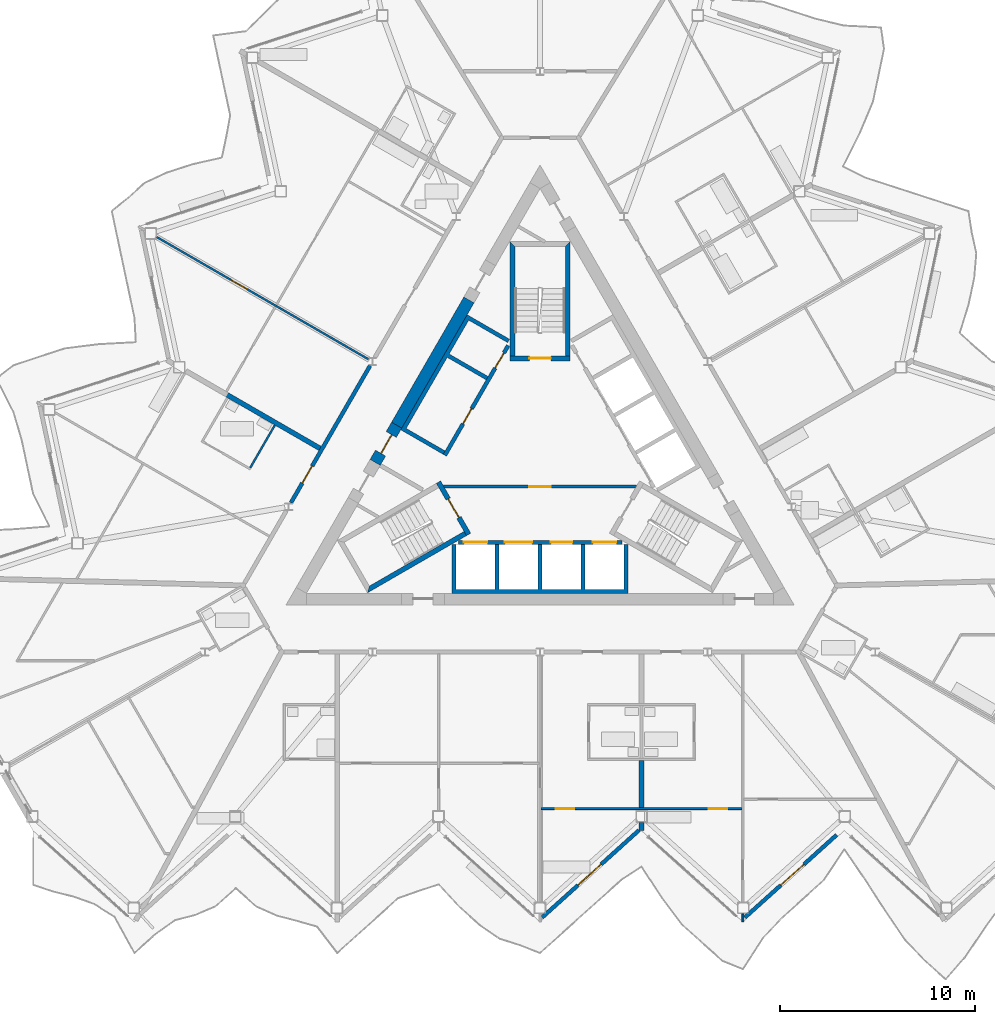
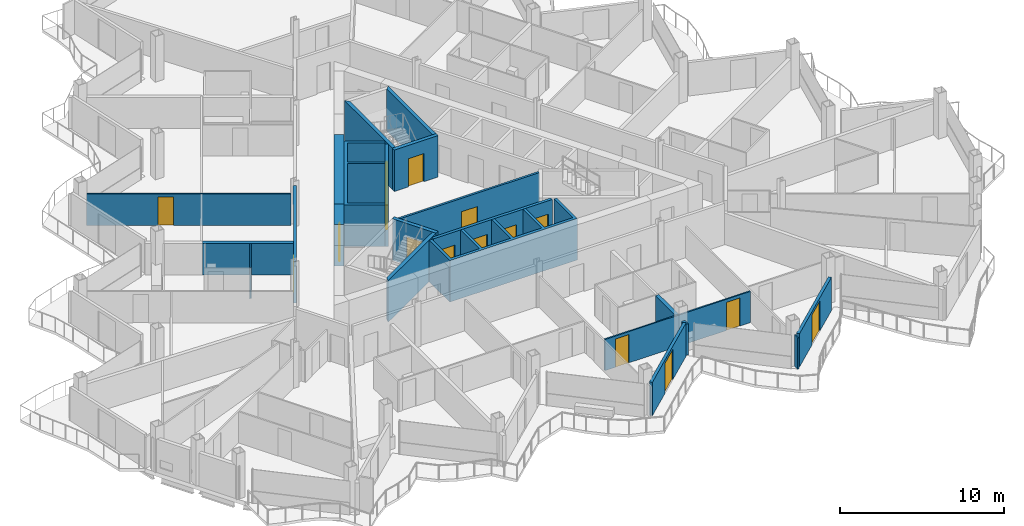
# One storey, part 15 of 28: 22 walls, 16 doors, 16 openings.
"""IFC4 building model written with IfcOpenShell, lengths in metres."""

from ifc_helpers import new_model, si_unit, direction, frame, frame_2d, origin, place, context, subcontext, project, spatial, polyline, rectangle, outline, extrude, material, layer, layer_set, type_object, element, fill, save


model = new_model("IFC4")

# Units and contexts
model_context = context("Model", 3, precision=1e-05, world=origin(), true_north=direction((0.0, 1.0)))
body_context = subcontext(model_context, "Body", "Model", "MODEL_VIEW")
ifc_project = project(units=[si_unit("LENGTHUNIT", "METRE"), si_unit("AREAUNIT", "SQUARE_METRE"), si_unit("VOLUMEUNIT", "CUBIC_METRE"), si_unit("PLANEANGLEUNIT", "RADIAN"), si_unit("MASSUNIT", "GRAM", prefix="KILO")], contexts=[model_context])

# Site, building, storey
site_placement = place(None, origin())
site = spatial("IfcSite", under=ifc_project, at=site_placement, CompositionType="ELEMENT")
building_placement = place(site_placement, origin())
building = spatial("IfcBuilding", under=site, at=building_placement, Name="Cormorant Prow Tower", CompositionType="ELEMENT")
storey_placement = place(building_placement, frame((0.0, 0.0, 305.199951171875)))
storey = spatial("IfcBuildingStorey", under=building, at=storey_placement, Name="L66", CompositionType="ELEMENT", Elevation=305.199951171875)

# Wall, opening, door
ifc_material_1 = material(Name="Gypsum board partition")
ifc_layer_1 = layer(ifc_material_1, 0.14990234375)
ifc_layer_set_1 = layer_set([ifc_layer_1], Name="Gypsum board partition")
wall_type_1 = type_object("IfcWallType", Name="Core partition 150", PredefinedType="PARTITIONING", material=ifc_layer_set_1)
wall_1_placement = place(storey_placement, frame((-4.941162109375, -1.449951171875, 0.0), z_axis=(0.0, 0.0, 1.0), x_axis=(1.0, 0.0, 0.0)))
wall_1 = element("IfcWall", 1, at=wall_1_placement, inside=storey, type_object=wall_type_1, Name="Firefighting lobby partition", PredefinedType="PARTITIONING", context=body_context, shape_type="SweptSolid", body=[
    extrude(rectangle(XDim=9.88232421875, YDim=0.14990234375, at=frame_2d((4.941162109375, 0.0))), origin(), (0.0, 0.0, 1.0), 3.10009765625),
])
opening_1_placement = place(wall_1_placement, frame((4.39111328125, 0.0, 0.0)))
opening_1 = element("IfcOpeningElement", 2, at=opening_1_placement, cuts=wall_1, Name="Opening L66-C11", PredefinedType="OPENING", context=body_context, shape_type="SweptSolid", body=[
    extrude(rectangle(XDim=1.10009765625, YDim=2.10009765625, at=frame_2d((0.550048828125, 1.050048828125))), frame((0.0, 0.0849609375, 0.0), z_axis=(0.0, -1.0, 0.0), x_axis=(1.0, 0.0, 0.0)), (0.0, 0.0, 1.0), 0.169921875),
])
ifc_material_2 = material(Name="Painted steel", Category="steel")
door_type_1 = type_object("IfcDoorType", Name="Firefighting lobby door 1100x2100", OperationType="NOTDEFINED", PredefinedType="DOOR", material=ifc_material_2)
door_1_placement = place(opening_1_placement, origin())
door_1 = element("IfcDoor", 3, at=door_1_placement, inside=storey, type_object=door_type_1, Name="Firefighting lobby door", OperationType="SINGLE_SWING_LEFT", OverallHeight=2.10009765625, OverallWidth=1.10009765625, PredefinedType="DOOR", context=body_context, shape_type="SweptSolid", body=[
    extrude(rectangle(XDim=1.10009765625, YDim=2.10009765625, at=frame_2d((0.550048828125, 1.050048828125))), frame((0.0, 0.02490234375, 0.0), z_axis=(0.0, -1.0, 0.0), x_axis=(1.0, 0.0, 0.0)), (0.0, 0.0, 1.0), 0.050048828125),
])
fill(opening_1, door_1)

# Wall
ifc_material_3 = material(Name="Concrete 8000 psi", Category="concrete")
ifc_layer_2 = layer(ifc_material_3, 0.60009765625)
ifc_layer_set_2 = layer_set([ifc_layer_2], Name="Concrete 8000 psi")
wall_type_2 = type_object("IfcWallType", Name="Core shear wall 600", PredefinedType="SHEAR", material=ifc_layer_set_2)
wall_2_placement = place(storey_placement, frame((-3.639404296875, 8.107421875, 0.0), z_axis=(0.0, 0.0, 1.0), x_axis=(-0.49999180351, -0.866030135978, 0.0)))
element("IfcWall", 4, at=wall_2_placement, inside=storey, type_object=wall_type_2, Name="Core wall", PredefinedType="SHEAR", context=body_context, shape_type="SweptSolid", body=[
    extrude(rectangle(XDim=7.4013671875, YDim=0.60009765625, at=frame_2d((3.70068359375, 0.0))), origin(), (0.0, 0.0, 1.0), 3.10009765625),
])

# Wall, opening, door
wall_3_placement = place(storey_placement, frame((-7.340087890625, 1.697509765625, 0.0), z_axis=(0.0, 0.0, 1.0), x_axis=(-0.50002983664, -0.866008176907, 0.0)))
wall_3 = element("IfcWall", 5, at=wall_3_placement, inside=storey, type_object=wall_type_2, Name="Core wall door panel", PredefinedType="SHEAR", context=body_context, shape_type="SweptSolid", body=[
    extrude(rectangle(XDim=2.199951171875, YDim=0.60009765625, at=frame_2d((1.10009765625, 0.0))), origin(), (0.0, 0.0, 1.0), 3.10009765625),
])
opening_2_placement = place(wall_3_placement, frame((0.550048828125, 0.0, 0.0)))
opening_2 = element("IfcOpeningElement", 6, at=opening_2_placement, cuts=wall_3, Name="Opening L66-C21", PredefinedType="OPENING", context=body_context, shape_type="SweptSolid", body=[
    extrude(rectangle(XDim=1.10009765625, YDim=2.10009765625, at=frame_2d((0.550048828125, 1.050048828125))), frame((0.0, 0.31005859375, 0.0), z_axis=(0.0, -1.0, 0.0), x_axis=(1.0, 0.0, 0.0)), (0.0, 0.0, 1.0), 0.6201171875),
])
ifc_material_4 = material(Name="Painted steel", Category="steel")
door_type_2 = type_object("IfcDoorType", Name="Core door 1100x2100", OperationType="NOTDEFINED", PredefinedType="DOOR", material=ifc_material_4)
door_2_placement = place(opening_2_placement, origin())
door_2 = element("IfcDoor", 7, at=door_2_placement, inside=storey, type_object=door_type_2, Name="Core door, lift lobby", OperationType="SINGLE_SWING_RIGHT", OverallHeight=2.10009765625, OverallWidth=1.10009765625, PredefinedType="DOOR", context=body_context, shape_type="SweptSolid", body=[
    extrude(rectangle(XDim=1.10009765625, YDim=2.10009765625, at=frame_2d((0.550048828125, 1.050048828125))), frame((0.0, 0.05517578125, 0.0), z_axis=(0.0, -1.0, 0.0), x_axis=(1.0, 0.0, 0.0)), (0.0, 0.0, 1.0), 0.050048828125),
])
fill(opening_2, door_2)

ifc_material_5 = material(Name="Gypsum board corridor wall")
ifc_layer_3 = layer(ifc_material_5, 0.199951171875)
ifc_layer_set_3 = layer_set([ifc_layer_3], Name="Gypsum board corridor wall")
wall_type_3 = type_object("IfcWallType", Name="Corridor wall 200", PredefinedType="PARTITIONING", material=ifc_layer_set_3)
wall_4_placement = place(storey_placement, frame((-12.747802734375, -2.268798828125, 0.0), z_axis=(0.0, 0.0, 1.0), x_axis=(0.499984266882, 0.866034487114, 0.0)))
wall_4 = element("IfcWall", 8, at=wall_4_placement, inside=storey, type_object=wall_type_3, Name="Corridor wall", PredefinedType="PARTITIONING", context=body_context, shape_type="SweptSolid", body=[
    extrude(rectangle(XDim=8.098876953125, YDim=0.199951171875, at=frame_2d((4.04931640625, 0.0))), origin(), (0.0, 0.0, 1.0), 3.10009765625),
])
opening_3_placement = place(wall_4_placement, frame((1.16357421875, 0.0, 0.0)))
opening_3 = element("IfcOpeningElement", 9, at=opening_3_placement, cuts=wall_4, Name="Opening L66-F46", PredefinedType="OPENING", context=body_context, shape_type="SweptSolid", body=[
    extrude(rectangle(XDim=1.0, YDim=2.10009765625, at=frame_2d((0.5, 1.050048828125))), frame((0.0, 0.10986328125, 0.0), z_axis=(0.0, -1.0, 0.0), x_axis=(1.0, 0.0, 0.0)), (0.0, 0.0, 1.0), 0.219970703125),
])
ifc_material_6 = material(Name="Timber door leaf", Category="wood")
door_type_3 = type_object("IfcDoorType", Name="Flat or room entrance door 1000x2100", OperationType="NOTDEFINED", PredefinedType="DOOR", material=ifc_material_6)
door_3_placement = place(opening_3_placement, origin())
door_3 = element("IfcDoor", 10, at=door_3_placement, inside=storey, type_object=door_type_3, Name="Living room door", OperationType="SINGLE_SWING_RIGHT", OverallHeight=2.10009765625, OverallWidth=1.0, PredefinedType="DOOR", context=body_context, shape_type="SweptSolid", body=[
    extrude(rectangle(XDim=1.0, YDim=2.10009765625, at=frame_2d((0.5, 1.050048828125))), frame((0.0, 0.02490234375, 0.0), z_axis=(0.0, -1.0, 0.0), x_axis=(1.0, 0.0, 0.0)), (0.0, 0.0, 1.0), 0.050048828125),
])
fill(opening_3, door_3)

ifc_material_7 = material(Name="Gypsum board partition")
ifc_layer_4 = layer(ifc_material_7, 0.10009765625)
ifc_layer_set_4 = layer_set([ifc_layer_4], Name="Gypsum board partition")
wall_type_4 = type_object("IfcWallType", Name="Internal partition 100", PredefinedType="PARTITIONING", material=ifc_layer_set_4)
wall_5_placement = place(storey_placement, frame((-19.615478515625, 11.3251953125, 0.0), z_axis=(0.0, 0.0, 1.0), x_axis=(0.86602139559, -0.500006942333, 0.0)))
wall_5 = element("IfcWall", 11, at=wall_5_placement, inside=storey, type_object=wall_type_4, Name="Internal partition", PredefinedType="PARTITIONING", context=body_context, shape_type="SweptSolid", body=[
    extrude(rectangle(XDim=12.504638671875, YDim=0.10009765625, at=frame_2d((6.25244140625, 0.0))), origin(), (0.0, 0.0, 1.0), 2.330078125),
])
opening_4_placement = place(wall_5_placement, frame((4.370361328125, 0.0, 0.0)))
opening_4 = element("IfcOpeningElement", 12, at=opening_4_placement, cuts=wall_5, Name="Opening L66-F43", PredefinedType="OPENING", context=body_context, shape_type="SweptSolid", body=[
    extrude(rectangle(XDim=0.949951171875, YDim=2.10009765625, at=frame_2d((0.47509765625, 1.050048828125))), frame((0.0, 0.06005859375, 0.0), z_axis=(0.0, -1.0, 0.0), x_axis=(1.0, 0.0, 0.0)), (0.0, 0.0, 1.0), 0.1201171875),
])
ifc_material_8 = material(Name="Timber door leaf", Category="wood")
door_type_4 = type_object("IfcDoorType", Name="Bathroom door 950x2100", OperationType="NOTDEFINED", PredefinedType="DOOR", material=ifc_material_8)
door_4_placement = place(opening_4_placement, origin())
door_4 = element("IfcDoor", 13, at=door_4_placement, inside=storey, type_object=door_type_4, Name="Dining room door", OperationType="SINGLE_SWING_LEFT", OverallHeight=2.10009765625, OverallWidth=0.949951171875, PredefinedType="DOOR", context=body_context, shape_type="SweptSolid", body=[
    extrude(rectangle(XDim=0.949951171875, YDim=2.10009765625, at=frame_2d((0.47509765625, 1.050048828125))), frame((0.0, 0.02490234375, 0.0), z_axis=(0.0, -1.0, 0.0), x_axis=(1.0, 0.0, 0.0)), (0.0, 0.0, 1.0), 0.050048828125),
])
fill(opening_4, door_4)

# Wall, openings, doors
wall_6_placement = place(storey_placement, frame((0.050048828125, -17.92431640625, 0.0), z_axis=(0.0, 0.0, 1.0), x_axis=(1.0, 0.0, 0.0)))
wall_6 = element("IfcWall", 14, at=wall_6_placement, inside=storey, type_object=wall_type_4, Name="Internal partition", PredefinedType="PARTITIONING", context=body_context, shape_type="SweptSolid", body=[
    extrude(rectangle(XDim=10.28173828125, YDim=0.10009765625, at=frame_2d((5.140869140625, 0.0))), origin(), (0.0, 0.0, 1.0), 2.330078125),
])
opening_5_placement = place(wall_6_placement, frame((0.751708984375, 0.0, 0.0)))
opening_5 = element("IfcOpeningElement", 15, at=opening_5_placement, cuts=wall_6, Name="Opening L66-F05", PredefinedType="OPENING", context=body_context, shape_type="SweptSolid", body=[
    extrude(rectangle(XDim=0.949951171875, YDim=2.10009765625, at=frame_2d((0.47509765625, 1.050048828125))), frame((0.0, 0.06005859375, 0.0), z_axis=(0.0, -1.0, 0.0), x_axis=(1.0, 0.0, 0.0)), (0.0, 0.0, 1.0), 0.1201171875),
])
opening_6_placement = place(wall_6_placement, frame((8.580078125, 0.0, 0.0)))
opening_6 = element("IfcOpeningElement", 16, at=opening_6_placement, cuts=wall_6, Name="Opening L66-F12", PredefinedType="OPENING", context=body_context, shape_type="SweptSolid", body=[
    extrude(rectangle(XDim=0.949951171875, YDim=2.10009765625, at=frame_2d((0.47509765625, 1.050048828125))), frame((0.0, 0.06005859375, 0.0), z_axis=(0.0, -1.0, 0.0), x_axis=(1.0, 0.0, 0.0)), (0.0, 0.0, 1.0), 0.1201171875),
])
door_5_placement = place(opening_5_placement, origin())
door_5 = element("IfcDoor", 17, at=door_5_placement, inside=storey, type_object=door_type_4, Name="Living room door", OperationType="SINGLE_SWING_LEFT", OverallHeight=2.10009765625, OverallWidth=0.949951171875, PredefinedType="DOOR", context=body_context, shape_type="SweptSolid", body=[
    extrude(rectangle(XDim=0.949951171875, YDim=2.10009765625, at=frame_2d((0.47509765625, 1.050048828125))), frame((0.0, 0.02490234375, 0.0), z_axis=(0.0, -1.0, 0.0), x_axis=(1.0, 0.0, 0.0)), (0.0, 0.0, 1.0), 0.050048828125),
])
fill(opening_5, door_5)
door_6_placement = place(opening_6_placement, origin())
door_6 = element("IfcDoor", 18, at=door_6_placement, inside=storey, type_object=door_type_4, Name="Living room door", OperationType="SINGLE_SWING_RIGHT", OverallHeight=2.10009765625, OverallWidth=0.949951171875, PredefinedType="DOOR", context=body_context, shape_type="SweptSolid", body=[
    extrude(rectangle(XDim=0.949951171875, YDim=2.10009765625, at=frame_2d((0.47509765625, 1.050048828125))), frame((0.0, 0.02490234375, 0.0), z_axis=(0.0, -1.0, 0.0), x_axis=(1.0, 0.0, 0.0)), (0.0, 0.0, 1.0), 0.050048828125),
])
fill(opening_6, door_6)

# Walls
wall_7_placement = place(storey_placement, frame((-14.837158203125, -0.48779296875, 0.0), z_axis=(0.0, 0.0, 1.0), x_axis=(0.499976333282, 0.866039067339, 0.0)))
element("IfcWall", 19, at=wall_7_placement, inside=storey, type_object=wall_type_4, Name="Internal partition", PredefinedType="PARTITIONING", context=body_context, shape_type="SweptSolid", body=[
    extrude(rectangle(XDim=2.52490234375, YDim=0.10009765625, at=frame_2d((1.262451171875, 0.0))), origin(), (0.0, 0.0, 1.0), 2.330078125),
])
wall_8_placement = place(storey_placement, frame((10.3818359375, -23.72900390625, 0.0), z_axis=(0.0, 0.0, 1.0), x_axis=(0.0, 1.0, 0.0)))
element("IfcWall", 20, at=wall_8_placement, inside=storey, type_object=wall_type_4, Name="Internal partition", PredefinedType="PARTITIONING", context=body_context, shape_type="SweptSolid", body=[
    extrude(rectangle(XDim=0.410888671875, YDim=0.10009765625, at=frame_2d((0.20556640625, 0.0))), origin(), (0.0, 0.0, 1.0), 2.330078125),
])

# Wall, openings, doors
ifc_material_9 = material(Name="Concrete 5000 psi", Category="concrete")
ifc_layer_5 = layer(ifc_material_9, 0.199951171875)
ifc_layer_set_5 = layer_set([ifc_layer_5], Name="Concrete 5000 psi")
wall_type_5 = type_object("IfcWallType", Name="Lift lobby wall 200", PredefinedType="SOLIDWALL", material=ifc_layer_set_5)
wall_9_placement = place(storey_placement, frame((-4.1865234375, -4.300048828125, 0.0), z_axis=(0.0, 0.0, 1.0), x_axis=(1.0, 0.0, 0.0)))
wall_9 = element("IfcWall", 21, at=wall_9_placement, inside=storey, type_object=wall_type_5, Name="Lift lobby wall, S block", PredefinedType="SOLIDWALL", context=body_context, shape_type="SweptSolid", body=[
    extrude(rectangle(XDim=8.373046875, YDim=0.199951171875, at=frame_2d((4.1865234375, 0.0))), origin(), (0.0, 0.0, 1.0), 3.10009765625),
])
opening_7_placement = place(wall_9_placement, frame((0.28662109375, 0.0, 0.0)))
opening_7 = element("IfcOpeningElement", 22, at=opening_7_placement, cuts=wall_9, Name="Opening L66-C01", PredefinedType="OPENING", context=body_context, shape_type="SweptSolid", body=[
    extrude(rectangle(XDim=1.199951171875, YDim=2.10009765625, at=frame_2d((0.60009765625, 1.050048828125))), frame((0.0, 0.10986328125, 0.0), z_axis=(0.0, -1.0, 0.0), x_axis=(1.0, 0.0, 0.0)), (0.0, 0.0, 1.0), 0.219970703125),
])
opening_8_placement = place(wall_9_placement, frame((2.38671875, 0.0, 0.0)))
opening_8 = element("IfcOpeningElement", 23, at=opening_8_placement, cuts=wall_9, Name="Opening L66-C02", PredefinedType="OPENING", context=body_context, shape_type="SweptSolid", body=[
    extrude(rectangle(XDim=1.39990234375, YDim=2.10009765625, at=frame_2d((0.699951171875, 1.050048828125))), frame((0.0, 0.10986328125, 0.0), z_axis=(0.0, -1.0, 0.0), x_axis=(1.0, 0.0, 0.0)), (0.0, 0.0, 1.0), 0.219970703125),
])
opening_9_placement = place(wall_9_placement, frame((4.736572265625, 0.0, 0.0)))
opening_9 = element("IfcOpeningElement", 24, at=opening_9_placement, cuts=wall_9, Name="Opening L66-C03", PredefinedType="OPENING", context=body_context, shape_type="SweptSolid", body=[
    extrude(rectangle(XDim=1.10009765625, YDim=2.10009765625, at=frame_2d((0.550048828125, 1.050048828125))), frame((0.0, 0.10986328125, 0.0), z_axis=(0.0, -1.0, 0.0), x_axis=(1.0, 0.0, 0.0)), (0.0, 0.0, 1.0), 0.219970703125),
])
opening_10_placement = place(wall_9_placement, frame((6.88671875, 0.0, 0.0)))
opening_10 = element("IfcOpeningElement", 25, at=opening_10_placement, cuts=wall_9, Name="Opening L66-C04", PredefinedType="OPENING", context=body_context, shape_type="SweptSolid", body=[
    extrude(rectangle(XDim=1.199951171875, YDim=2.10009765625, at=frame_2d((0.60009765625, 1.050048828125))), frame((0.0, 0.10986328125, 0.0), z_axis=(0.0, -1.0, 0.0), x_axis=(1.0, 0.0, 0.0)), (0.0, 0.0, 1.0), 0.219970703125),
])
ifc_material_10 = material(Name="Painted steel", Category="steel")
door_type_5 = type_object("IfcDoorType", Name="Firefighting lift landing door 1200x2100", OperationType="SLIDING_TO_LEFT", PredefinedType="DOOR", material=ifc_material_10)
door_7_placement = place(opening_7_placement, origin())
door_7 = element("IfcDoor", 26, at=door_7_placement, inside=storey, type_object=door_type_5, Name="Landing door FL1", OperationType="SLIDING_TO_LEFT", OverallHeight=2.10009765625, OverallWidth=1.199951171875, PredefinedType="DOOR", context=body_context, shape_type="SweptSolid", body=[
    extrude(rectangle(XDim=1.199951171875, YDim=2.10009765625, at=frame_2d((0.60009765625, 1.050048828125))), frame((0.0, 0.02490234375, 0.0), z_axis=(0.0, -1.0, 0.0), x_axis=(1.0, 0.0, 0.0)), (0.0, 0.0, 1.0), 0.050048828125),
])
fill(opening_7, door_7)
door_8_placement = place(opening_10_placement, origin())
door_8 = element("IfcDoor", 27, at=door_8_placement, inside=storey, type_object=door_type_5, Name="Landing door FL2", OperationType="SLIDING_TO_LEFT", OverallHeight=2.10009765625, OverallWidth=1.199951171875, PredefinedType="DOOR", context=body_context, shape_type="SweptSolid", body=[
    extrude(rectangle(XDim=1.199951171875, YDim=2.10009765625, at=frame_2d((0.60009765625, 1.050048828125))), frame((0.0, 0.02490234375, 0.0), z_axis=(0.0, -1.0, 0.0), x_axis=(1.0, 0.0, 0.0)), (0.0, 0.0, 1.0), 0.050048828125),
])
fill(opening_10, door_8)
ifc_material_11 = material(Name="Painted steel", Category="steel")
door_type_6 = type_object("IfcDoorType", Name="Lift landing door 1100x2100", OperationType="SLIDING_TO_LEFT", PredefinedType="DOOR", material=ifc_material_11)
door_9_placement = place(opening_9_placement, origin())
door_9 = element("IfcDoor", 28, at=door_9_placement, inside=storey, type_object=door_type_6, Name="Landing door HR1", OperationType="SLIDING_TO_LEFT", OverallHeight=2.10009765625, OverallWidth=1.10009765625, PredefinedType="DOOR", context=body_context, shape_type="SweptSolid", body=[
    extrude(rectangle(XDim=1.10009765625, YDim=2.10009765625, at=frame_2d((0.550048828125, 1.050048828125))), frame((0.0, 0.02490234375, 0.0), z_axis=(0.0, -1.0, 0.0), x_axis=(1.0, 0.0, 0.0)), (0.0, 0.0, 1.0), 0.050048828125),
])
fill(opening_9, door_9)
ifc_material_12 = material(Name="Painted steel", Category="steel")
door_type_7 = type_object("IfcDoorType", Name="Service lift landing door 1400x2100", OperationType="SLIDING_TO_LEFT", PredefinedType="DOOR", material=ifc_material_12)
door_10_placement = place(opening_8_placement, origin())
door_10 = element("IfcDoor", 29, at=door_10_placement, inside=storey, type_object=door_type_7, Name="Landing door SL1", OperationType="SLIDING_TO_LEFT", OverallHeight=2.10009765625, OverallWidth=1.39990234375, PredefinedType="DOOR", context=body_context, shape_type="SweptSolid", body=[
    extrude(rectangle(XDim=1.39990234375, YDim=2.10009765625, at=frame_2d((0.699951171875, 1.050048828125))), frame((0.0, 0.02490234375, 0.0), z_axis=(0.0, -1.0, 0.0), x_axis=(1.0, 0.0, 0.0)), (0.0, 0.0, 1.0), 0.050048828125),
])
fill(opening_8, door_10)

wall_10_placement = place(storey_placement, frame((-1.630615234375, 5.775634765625, 0.0), z_axis=(0.0, 0.0, 1.0), x_axis=(-0.499992876559, -0.866029516466, 0.0)))
wall_10 = element("IfcWall", 30, at=wall_10_placement, inside=storey, type_object=wall_type_5, Name="Lift lobby wall, WNW block", PredefinedType="SOLIDWALL", context=body_context, shape_type="SweptSolid", body=[
    extrude(rectangle(XDim=6.486328125, YDim=0.199951171875, at=frame_2d((3.2431640625, 0.0))), origin(), (0.0, 0.0, 1.0), 3.10009765625),
])
opening_11_placement = place(wall_10_placement, frame((0.4365234375, 0.0, 0.0)))
opening_11 = element("IfcOpeningElement", 31, at=opening_11_placement, cuts=wall_10, Name="Opening L66-C09", PredefinedType="OPENING", context=body_context, shape_type="SweptSolid", body=[
    extrude(rectangle(XDim=0.89990234375, YDim=2.10009765625, at=frame_2d((0.449951171875, 1.050048828125))), frame((0.0, 0.10986328125, 0.0), z_axis=(0.0, -1.0, 0.0), x_axis=(1.0, 0.0, 0.0)), (0.0, 0.0, 1.0), 0.219970703125),
])
opening_12_placement = place(wall_10_placement, frame((3.736572265625, 0.0, 0.0)))
opening_12 = element("IfcOpeningElement", 32, at=opening_12_placement, cuts=wall_10, Name="Opening L66-C10", PredefinedType="OPENING", context=body_context, shape_type="SweptSolid", body=[
    extrude(rectangle(XDim=0.89990234375, YDim=2.10009765625, at=frame_2d((0.449951171875, 1.050048828125))), frame((0.0, 0.10986328125, 0.0), z_axis=(0.0, -1.0, 0.0), x_axis=(1.0, 0.0, 0.0)), (0.0, 0.0, 1.0), 0.219970703125),
])
ifc_material_13 = material(Name="Painted steel", Category="steel")
door_type_8 = type_object("IfcDoorType", Name="Service door 900x2100", OperationType="NOTDEFINED", PredefinedType="DOOR", material=ifc_material_13)
door_11_placement = place(opening_11_placement, origin())
door_11 = element("IfcDoor", 33, at=door_11_placement, inside=storey, type_object=door_type_8, Name="Service door, Telecom room", OperationType="SINGLE_SWING_LEFT", OverallHeight=2.10009765625, OverallWidth=0.89990234375, PredefinedType="DOOR", context=body_context, shape_type="SweptSolid", body=[
    extrude(rectangle(XDim=0.89990234375, YDim=2.10009765625, at=frame_2d((0.449951171875, 1.050048828125))), frame((0.0, 0.02490234375, 0.0), z_axis=(0.0, -1.0, 0.0), x_axis=(1.0, 0.0, 0.0)), (0.0, 0.0, 1.0), 0.050048828125),
])
fill(opening_11, door_11)
door_12_placement = place(opening_12_placement, origin())
door_12 = element("IfcDoor", 34, at=door_12_placement, inside=storey, type_object=door_type_8, Name="Service door, Housekeeping store", OperationType="SINGLE_SWING_LEFT", OverallHeight=2.10009765625, OverallWidth=0.89990234375, PredefinedType="DOOR", context=body_context, shape_type="SweptSolid", body=[
    extrude(rectangle(XDim=0.89990234375, YDim=2.10009765625, at=frame_2d((0.449951171875, 1.050048828125))), frame((0.0, 0.02490234375, 0.0), z_axis=(0.0, -1.0, 0.0), x_axis=(1.0, 0.0, 0.0)), (0.0, 0.0, 1.0), 0.050048828125),
])
fill(opening_12, door_12)

# Walls
ifc_material_14 = material(Name="Concrete 8000 psi", Category="concrete")
ifc_layer_6 = layer(ifc_material_14, 0.199951171875)
ifc_layer_set_6 = layer_set([ifc_layer_6], Name="Concrete 8000 psi")
wall_type_6 = type_object("IfcWallType", Name="Lift shaft wall 200", PredefinedType="SHEAR", material=ifc_layer_set_6)
wall_11_placement = place(storey_placement, origin())
element("IfcWall", 35, at=wall_11_placement, inside=storey, type_object=wall_type_6, Name="Lift shaft walls, S block", PredefinedType="SHEAR", context=body_context, shape_type="SweptSolid", body=[
    extrude(outline(polyline([(4.5, -4.39990234375), (4.5, -6.906005859375), (-4.5, -6.906005859375), (-4.5, -4.39990234375), (-4.300048828125, -4.39990234375), (-4.300048828125, -6.699951171875), (-2.300048828125, -6.699951171875), (-2.300048828125, -4.39990234375), (-2.10009765625, -4.39990234375), (-2.10009765625, -6.699951171875), (-0.10009765625, -6.699951171875), (-0.10009765625, -4.39990234375), (0.10009765625, -4.39990234375), (0.10009765625, -6.699951171875), (2.10009765625, -6.699951171875), (2.10009765625, -4.39990234375), (2.300048828125, -4.39990234375), (2.300048828125, -6.699951171875), (4.300048828125, -6.699951171875), (4.300048828125, -4.39990234375), (4.5, -4.39990234375)])), origin(), (0.0, 0.0, 1.0), 3.10009765625),
])
wall_12_placement = place(storey_placement, origin())
element("IfcWall", 36, at=wall_12_placement, inside=storey, type_object=wall_type_6, Name="Lift shaft walls, WNW block", PredefinedType="SHEAR", context=body_context, shape_type="SweptSolid", body=[
    extrude(outline(polyline([(-4.96044921875, 0.2080078125), (-7.130859375, 1.461181640625), (-3.730712890625, 7.35009765625), (-1.560546875, 6.09716796875), (-1.660400390625, 5.923828125), (-3.65234375, 7.073974609375), (-4.65234375, 5.341796875), (-2.660400390625, 4.19189453125), (-2.760498046875, 4.018798828125), (-4.75244140625, 5.168701171875), (-6.852294921875, 1.53125), (-4.860595703125, 0.38134765625), (-4.96044921875, 0.2080078125)])), origin(), (0.0, 0.0, 1.0), 3.10009765625),
])
ifc_material_15 = material(Name="Concrete 8000 psi", Category="concrete")
ifc_layer_7 = layer(ifc_material_15, 0.25)
ifc_layer_set_7 = layer_set([ifc_layer_7], Name="Concrete 8000 psi")
wall_type_7 = type_object("IfcWallType", Name="Stair wall 250", PredefinedType="SHEAR", material=ifc_layer_set_7)
wall_13_placement = place(storey_placement, origin())
element("IfcWall", 37, at=wall_13_placement, inside=storey, type_object=wall_type_7, Name="Stair ST1 enclosure wall (flank)", PredefinedType="SHEAR", context=body_context, shape_type="SweptSolid", body=[
    extrude(outline(polyline([(-8.738037109375, -6.5390625), (-8.82958984375, -6.880615234375), (-3.76318359375, -3.95556640625), (-3.88818359375, -3.739013671875), (-8.738037109375, -6.5390625)])), origin(), (0.0, 0.0, 1.0), 3.10009765625),
])

# Wall, opening, door
wall_14_placement = place(storey_placement, frame((-5.198974609375, -1.21875, 0.0), z_axis=(0.0, 0.0, 1.0), x_axis=(0.499982516597, -0.866035497597, 0.0)))
wall_14 = element("IfcWall", 38, at=wall_14_placement, inside=storey, type_object=wall_type_7, Name="Stair ST1 door wall", PredefinedType="SHEAR", context=body_context, shape_type="SweptSolid", body=[
    extrude(rectangle(XDim=3.087890625, YDim=0.25, at=frame_2d((1.5439453125, 0.0))), origin(), (0.0, 0.0, 1.0), 3.10009765625),
])
opening_13_placement = place(wall_14_placement, frame((0.993896484375, 0.0, 0.0)))
opening_13 = element("IfcOpeningElement", 39, at=opening_13_placement, cuts=wall_14, Name="Opening L66-C12", PredefinedType="OPENING", context=body_context, shape_type="SweptSolid", body=[
    extrude(rectangle(XDim=1.10009765625, YDim=2.10009765625, at=frame_2d((0.550048828125, 1.050048828125))), frame((0.0, 0.135009765625, 0.0), z_axis=(0.0, -1.0, 0.0), x_axis=(1.0, 0.0, 0.0)), (0.0, 0.0, 1.0), 0.27001953125),
])
ifc_material_16 = material(Name="Painted steel", Category="steel")
door_type_9 = type_object("IfcDoorType", Name="Stair door 1100x2100", OperationType="NOTDEFINED", PredefinedType="DOOR", material=ifc_material_16)
door_13_placement = place(opening_13_placement, origin())
door_13 = element("IfcDoor", 40, at=door_13_placement, inside=storey, type_object=door_type_9, Name="Stair ST1 door", OperationType="SINGLE_SWING_LEFT", OverallHeight=2.10009765625, OverallWidth=1.10009765625, PredefinedType="DOOR", context=body_context, shape_type="SweptSolid", body=[
    extrude(rectangle(XDim=1.10009765625, YDim=2.10009765625, at=frame_2d((0.550048828125, 1.050048828125))), frame((0.0, 0.02490234375, 0.0), z_axis=(0.0, -1.0, 0.0), x_axis=(1.0, 0.0, 0.0)), (0.0, 0.0, 1.0), 0.050048828125),
])
fill(opening_13, door_13)

# Walls
wall_15_placement = place(storey_placement, origin())
element("IfcWall", 41, at=wall_15_placement, inside=storey, type_object=wall_type_7, Name="Stair ST3 enclosure wall (flank)", PredefinedType="SHEAR", context=body_context, shape_type="SweptSolid", body=[
    extrude(outline(polyline([(1.5439453125, 5.23681640625), (1.5439453125, 11.0869140625), (1.2939453125, 10.8369140625), (1.2939453125, 5.23681640625), (1.5439453125, 5.23681640625)])), origin(), (0.0, 0.0, 1.0), 3.10009765625),
])
wall_16_placement = place(storey_placement, origin())
element("IfcWall", 42, at=wall_16_placement, inside=storey, type_object=wall_type_7, Name="Stair ST3 enclosure wall (flank)", PredefinedType="SHEAR", context=body_context, shape_type="SweptSolid", body=[
    extrude(outline(polyline([(-1.2939453125, 10.8369140625), (-1.5439453125, 11.0869140625), (-1.5439453125, 5.23681640625), (-1.2939453125, 5.23681640625), (-1.2939453125, 10.8369140625)])), origin(), (0.0, 0.0, 1.0), 3.10009765625),
])

# Wall, opening, door
wall_17_placement = place(storey_placement, frame((1.5439453125, 5.11181640625, 0.0), z_axis=(0.0, 0.0, 1.0), x_axis=(-1.0, 0.0, 0.0)))
wall_17 = element("IfcWall", 43, at=wall_17_placement, inside=storey, type_object=wall_type_7, Name="Stair ST3 door wall", PredefinedType="SHEAR", context=body_context, shape_type="SweptSolid", body=[
    extrude(rectangle(XDim=3.087890625, YDim=0.25, at=frame_2d((1.5439453125, 0.0))), origin(), (0.0, 0.0, 1.0), 3.10009765625),
])
opening_14_placement = place(wall_17_placement, frame((0.993896484375, 0.0, 0.0)))
opening_14 = element("IfcOpeningElement", 44, at=opening_14_placement, cuts=wall_17, Name="Opening L66-C14", PredefinedType="OPENING", context=body_context, shape_type="SweptSolid", body=[
    extrude(rectangle(XDim=1.10009765625, YDim=2.10009765625, at=frame_2d((0.550048828125, 1.050048828125))), frame((0.0, 0.135009765625, 0.0), z_axis=(0.0, -1.0, 0.0), x_axis=(1.0, 0.0, 0.0)), (0.0, 0.0, 1.0), 0.27001953125),
])
door_14_placement = place(opening_14_placement, origin())
door_14 = element("IfcDoor", 45, at=door_14_placement, inside=storey, type_object=door_type_9, Name="Stair ST3 door", OperationType="SINGLE_SWING_RIGHT", OverallHeight=2.10009765625, OverallWidth=1.10009765625, PredefinedType="DOOR", context=body_context, shape_type="SweptSolid", body=[
    extrude(rectangle(XDim=1.10009765625, YDim=2.10009765625, at=frame_2d((0.550048828125, 1.050048828125))), frame((0.0, 0.02490234375, 0.0), z_axis=(0.0, -1.0, 0.0), x_axis=(1.0, 0.0, 0.0)), (0.0, 0.0, 1.0), 0.050048828125),
])
fill(opening_14, door_14)

# Walls
ifc_material_17 = material(Name="Acoustic gypsum party wall")
ifc_layer_8 = layer(ifc_material_17, 0.25)
ifc_layer_set_8 = layer_set([ifc_layer_8], Name="Acoustic gypsum party wall")
wall_type_8 = type_object("IfcWallType", Name="Suite party wall 250", PredefinedType="PARTITIONING", material=ifc_layer_set_8)
wall_18_placement = place(storey_placement, frame((-16.053955078125, 3.27490234375, 0.0), z_axis=(0.0, 0.0, 1.0), x_axis=(0.866019581949, -0.500010083578, 0.0)))
element("IfcWall", 46, at=wall_18_placement, inside=storey, type_object=wall_type_8, Name="Suite party wall", PredefinedType="PARTITIONING", context=body_context, shape_type="SweptSolid", body=[
    extrude(rectangle(XDim=5.53515625, YDim=0.25, at=frame_2d((2.767578125, 0.0))), origin(), (0.0, 0.0, 1.0), 2.330078125),
])
wall_19_placement = place(storey_placement, frame((5.19091796875, -17.87451171875, 0.0), z_axis=(0.0, 0.0, 1.0), x_axis=(0.0, 1.0, 0.0)))
element("IfcWall", 47, at=wall_19_placement, inside=storey, type_object=wall_type_8, Name="Suite party wall", PredefinedType="PARTITIONING", context=body_context, shape_type="SweptSolid", body=[
    extrude(rectangle(XDim=2.4189453125, YDim=0.25, at=frame_2d((1.20947265625, 0.0))), origin(), (0.0, 0.0, 1.0), 2.330078125),
])
wall_20_placement = place(storey_placement, frame((5.19091796875, -19.054931640625, 0.0), z_axis=(0.0, 0.0, 1.0), x_axis=(0.0, 1.0, 0.0)))
element("IfcWall", 48, at=wall_20_placement, inside=storey, type_object=wall_type_8, Name="Suite party wall", PredefinedType="PARTITIONING", context=body_context, shape_type="SweptSolid", body=[
    extrude(rectangle(XDim=0.418212890625, YDim=0.25, at=frame_2d((0.208984375, 0.0))), origin(), (0.0, 0.0, 1.0), 2.330078125),
])

# Wall, opening, door
ifc_material_18 = material(Name="Terracotta", Category="masonry")
ifc_layer_9 = layer(ifc_material_18, 0.199951171875)
ifc_layer_set_9 = layer_set([ifc_layer_9], Name="Terracotta")
wall_type_9 = type_object("IfcWallType", Name="Terracotta jamb wall 200", PredefinedType="SOLIDWALL", material=ifc_layer_set_9)
wall_21_placement = place(storey_placement, frame((0.103515625, -23.501220703125, 0.0), z_axis=(0.0, 0.0, 1.0), x_axis=(0.743137782456, 0.669138428344, 0.0)))
wall_21 = element("IfcWall", 49, at=wall_21_placement, inside=storey, type_object=wall_type_9, Name="Terracotta jamb wall S05", PredefinedType="SOLIDWALL", context=body_context, shape_type="SweptSolid", body=[
    extrude(rectangle(XDim=6.677734375, YDim=0.199951171875, at=frame_2d((3.3388671875, 0.0))), origin(), (0.0, 0.0, 1.0), 2.488037109375),
])
opening_15_placement = place(wall_21_placement, frame((2.463134765625, 0.0, 0.0)))
opening_15 = element("IfcOpeningElement", 50, at=opening_15_placement, cuts=wall_21, Name="Opening ED66.03", PredefinedType="OPENING", context=body_context, shape_type="SweptSolid", body=[
    extrude(rectangle(XDim=1.60009765625, YDim=2.25, at=frame_2d((0.800048828125, 1.125))), frame((0.0, 0.10986328125, 0.0), z_axis=(0.0, -1.0, 0.0), x_axis=(1.0, 0.0, 0.0)), (0.0, 0.0, 1.0), 0.219970703125),
])
ifc_material_19 = material(Name="Aluminium 6063-T6", Category="aluminium")
door_type_10 = type_object("IfcDoorType", Name="Balcony door 1600x2250", OperationType="DOUBLE_DOOR_SINGLE_SWING", PredefinedType="DOOR", material=ifc_material_19)
door_15_placement = place(opening_15_placement, origin())
door_15 = element("IfcDoor", 51, at=door_15_placement, inside=storey, type_object=door_type_10, Name="Balcony door S05 ED66.03", OperationType="DOUBLE_DOOR_SINGLE_SWING", OverallHeight=2.25, OverallWidth=1.60009765625, PredefinedType="DOOR", context=body_context, shape_type="SweptSolid", body=[
    extrude(rectangle(XDim=1.60009765625, YDim=2.25, at=frame_2d((0.800048828125, 1.125))), frame((0.0, 0.02490234375, 0.0), z_axis=(0.0, -1.0, 0.0), x_axis=(1.0, 0.0, 0.0)), (0.0, 0.0, 1.0), 0.050048828125),
])
fill(opening_15, door_15)

wall_22_placement = place(storey_placement, frame((10.4853515625, -23.501220703125, 0.0), z_axis=(0.0, 0.0, 1.0), x_axis=(0.743134744054, 0.669141802745, 0.0)))
wall_22 = element("IfcWall", 52, at=wall_22_placement, inside=storey, type_object=wall_type_9, Name="Terracotta jamb wall S07", PredefinedType="SOLIDWALL", context=body_context, shape_type="SweptSolid", body=[
    extrude(rectangle(XDim=6.32177734375, YDim=0.199951171875, at=frame_2d((3.160888671875, 0.0))), origin(), (0.0, 0.0, 1.0), 2.488037109375),
])
opening_16_placement = place(wall_22_placement, frame((2.463134765625, 0.0, 0.0)))
opening_16 = element("IfcOpeningElement", 53, at=opening_16_placement, cuts=wall_22, Name="Opening ED66.04", PredefinedType="OPENING", context=body_context, shape_type="SweptSolid", body=[
    extrude(rectangle(XDim=1.60009765625, YDim=2.25, at=frame_2d((0.800048828125, 1.125))), frame((0.0, 0.10986328125, 0.0), z_axis=(0.0, -1.0, 0.0), x_axis=(1.0, 0.0, 0.0)), (0.0, 0.0, 1.0), 0.219970703125),
])
door_16_placement = place(opening_16_placement, origin())
door_16 = element("IfcDoor", 54, at=door_16_placement, inside=storey, type_object=door_type_10, Name="Balcony door S07 ED66.04", OperationType="DOUBLE_DOOR_SINGLE_SWING", OverallHeight=2.25, OverallWidth=1.60009765625, PredefinedType="DOOR", context=body_context, shape_type="SweptSolid", body=[
    extrude(rectangle(XDim=1.60009765625, YDim=2.25, at=frame_2d((0.800048828125, 1.125))), frame((0.0, 0.02490234375, 0.0), z_axis=(0.0, -1.0, 0.0), x_axis=(1.0, 0.0, 0.0)), (0.0, 0.0, 1.0), 0.050048828125),
])
fill(opening_16, door_16)

save(model, "model.ifc")
